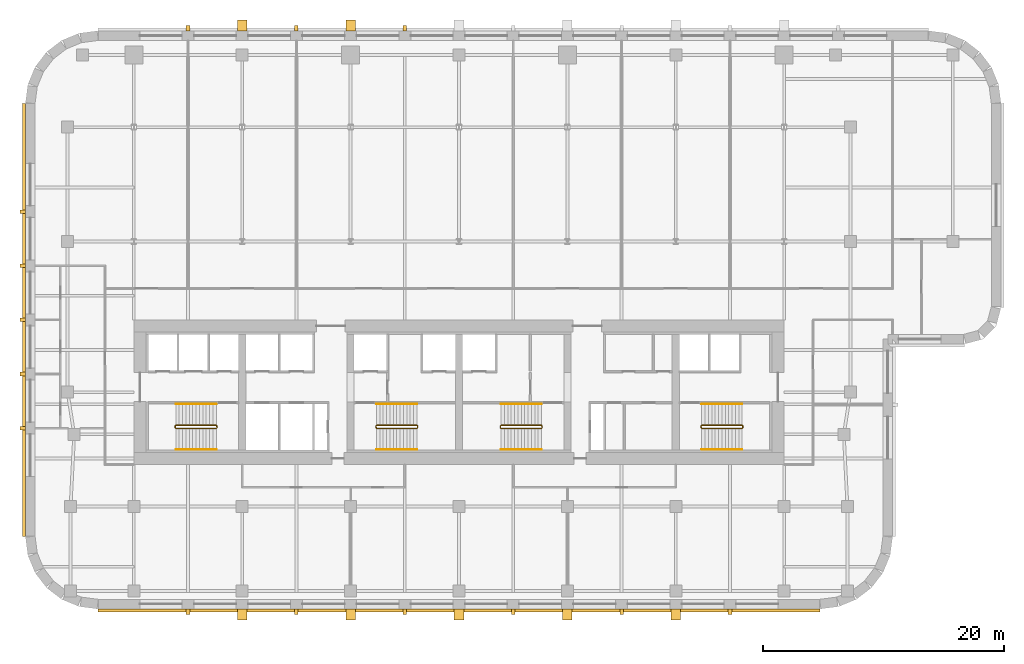
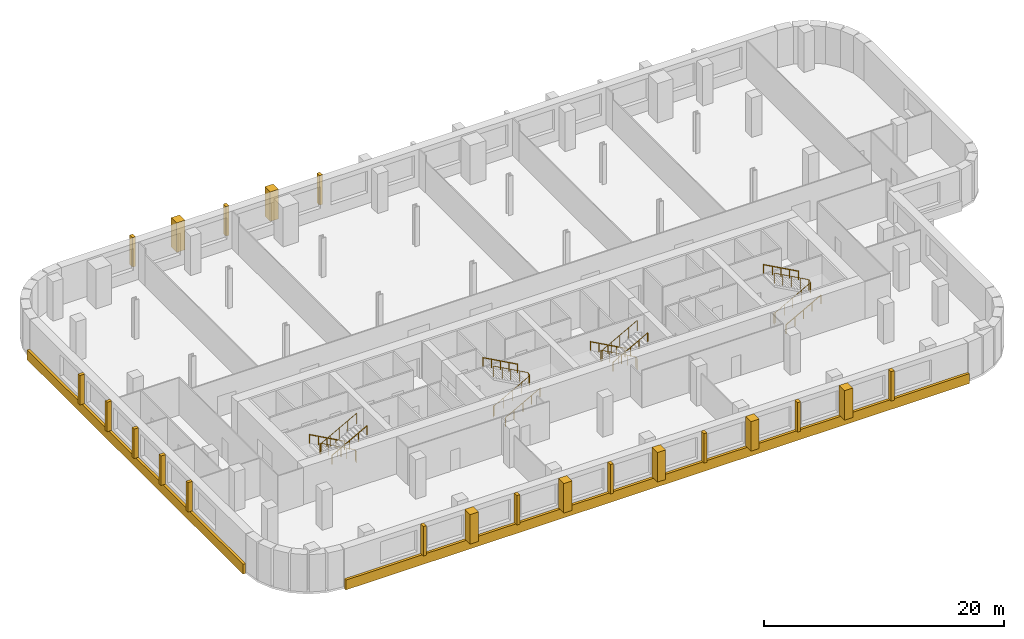
# One storey, part 8 of 9: 23 coverings, 12 railings.
"""IFC4 building model written with IfcOpenShell, lengths in metres."""

from ifc_helpers import new_model, si_unit, direction, frame, origin, origin_2d, place, context, subcontext, project, spatial, polyline, circle, outline, extrude, material, layer, layer_set, type_object, element, save


model = new_model("IFC4")

# Units and contexts
model_context = context("Model", 3, precision=1e-05, world=origin(), true_north=direction((0.0, 1.0)))
body_context = subcontext(model_context, "Body", "Model", "MODEL_VIEW")
ifc_project = project(units=[si_unit("LENGTHUNIT", "METRE"), si_unit("AREAUNIT", "SQUARE_METRE"), si_unit("VOLUMEUNIT", "CUBIC_METRE"), si_unit("PLANEANGLEUNIT", "RADIAN"), si_unit("MASSUNIT", "GRAM", prefix="KILO")], contexts=[model_context])

# Site, building, storey
site_placement = place(None, origin())
site = spatial("IfcSite", under=ifc_project, at=site_placement, CompositionType="ELEMENT")
building_placement = place(site_placement, origin())
building = spatial("IfcBuilding", under=site, at=building_placement, Name="Zellij Exchange Tower", CompositionType="ELEMENT")
storey_placement = place(building_placement, frame((0.0, 0.0, 136.5)))
storey = spatial("IfcBuildingStorey", under=building, at=storey_placement, Name="L30", CompositionType="ELEMENT", Elevation=136.5)

# Railings
ifc_material_1 = material(Name="Stainless steel", Category="steel")
railing_type_1 = type_object("IfcRailingType", Name="CORE-RG stair guard", PredefinedType="GUARDRAIL", material=ifc_material_1)
railing_1_placement = place(storey_placement, frame((-20.10009765625, -10.800048828125, 0.0)))
element("IfcRailing", 1, at=railing_1_placement, inside=storey, type_object=railing_type_1, Name="ST1 stair guard L30", PredefinedType="GUARDRAIL", context=body_context, shape_type="SweptSolid", body=[
    extrude(circle(Radius=0.02392578125, at=origin_2d()), frame((0.0, 0.0, 1.076171875), z_axis=(0.0, -1.0, 0.0), x_axis=(1.0, 0.0, 0.0)), (0.0, 0.0, 1.0), 0.14990234375),
    extrude(circle(Radius=0.02392578125, at=origin_2d()), frame((0.0, -0.14990234375, 1.076171875), z_axis=(-0.193691321961, 0.777613689637, 0.598164376644), x_axis=(-0.970351222016, -0.241699205484, 0.0)), (0.0, 0.0, 1.0), 0.257080078125),
    extrude(circle(Radius=0.02392578125, at=origin_2d()), frame((-0.0498046875, 0.050048828125, 1.22998046875), z_axis=(-0.876421534553, 0.0, 0.481544695509), x_axis=(0.0, -1.0, 0.0)), (0.0, 0.0, 1.0), 3.833984375),
    extrude(circle(Radius=0.02392578125, at=origin_2d()), frame((-3.409912109375, 0.050048828125, 3.076171875), z_axis=(-0.707106781187, -0.707106781187, 0.0), x_axis=(0.707106781187, -0.707106781187, 0.0)), (0.0, 0.0, 1.0), 0.07080078125),
    extrude(circle(Radius=0.02392578125, at=origin_2d()), frame((-3.4599609375, 0.0, 3.076171875), z_axis=(0.0, -1.0, 0.0), x_axis=(1.0, 0.0, 0.0)), (0.0, 0.0, 1.0), 0.14990234375),
    extrude(circle(Radius=0.02392578125, at=origin_2d()), frame((-3.4599609375, -0.14990234375, 3.076171875), z_axis=(0.295599637079, -0.295599637079, 0.908428152975), x_axis=(0.707106781187, 0.707106781187, 0.0)), (0.0, 0.0, 1.0), 0.16943359375),
    extrude(circle(Radius=0.02392578125, at=origin_2d()), frame((-3.409912109375, -0.199951171875, 3.22998046875), z_axis=(0.876421534553, 0.0, 0.481544695509), x_axis=(0.0, 1.0, 0.0)), (0.0, 0.0, 1.0), 3.833984375),
    extrude(circle(Radius=0.02099609375, at=origin_2d()), origin(), (0.0, 0.0, 1.0), 1.052001953125),
    extrude(circle(Radius=0.02099609375, at=origin_2d()), frame((0.0, -0.14990234375, 0.0)), (0.0, 0.0, 1.0), 1.052001953125),
    extrude(circle(Radius=0.02099609375, at=origin_2d()), frame((-0.0498046875, 0.050048828125, 0.15380859375)), (0.0, 0.0, 1.0), 1.052001953125),
    extrude(circle(Radius=0.02099609375, at=origin_2d()), frame((-0.889892578125, 0.050048828125, 0.615234375)), (0.0, 0.0, 1.0), 1.052001953125),
    extrude(circle(Radius=0.02099609375, at=origin_2d()), frame((-1.72998046875, 0.050048828125, 1.076904296875)), (0.0, 0.0, 1.0), 1.052001953125),
    extrude(circle(Radius=0.02099609375, at=origin_2d()), frame((-2.56982421875, 0.050048828125, 1.53857421875)), (0.0, 0.0, 1.0), 1.052001953125),
    extrude(circle(Radius=0.02099609375, at=origin_2d()), frame((-3.409912109375, 0.050048828125, 2.0)), (0.0, 0.0, 1.0), 1.052001953125),
    extrude(circle(Radius=0.02099609375, at=origin_2d()), frame((-3.4599609375, 0.0, 2.0)), (0.0, 0.0, 1.0), 1.052001953125),
    extrude(circle(Radius=0.02099609375, at=origin_2d()), frame((-3.4599609375, -0.14990234375, 2.0)), (0.0, 0.0, 1.0), 1.052001953125),
    extrude(circle(Radius=0.02099609375, at=origin_2d()), frame((-3.409912109375, -0.199951171875, 2.15380859375)), (0.0, 0.0, 1.0), 1.052001953125),
    extrude(circle(Radius=0.02099609375, at=origin_2d()), frame((-2.56982421875, -0.199951171875, 2.615234375)), (0.0, 0.0, 1.0), 1.052001953125),
    extrude(circle(Radius=0.02099609375, at=origin_2d()), frame((-1.72998046875, -0.199951171875, 3.076904296875)), (0.0, 0.0, 1.0), 1.052001953125),
    extrude(circle(Radius=0.02099609375, at=origin_2d()), frame((-0.889892578125, -0.199951171875, 3.53857421875)), (0.0, 0.0, 1.0), 1.052001953125),
    extrude(circle(Radius=0.02099609375, at=origin_2d()), frame((-0.0498046875, -0.199951171875, 4.0)), (0.0, 0.0, 1.0), 1.052001953125),
])
railing_2_placement = place(storey_placement, frame((-6.89990234375, -10.949951171875, 0.0)))
element("IfcRailing", 2, at=railing_2_placement, inside=storey, type_object=railing_type_1, Name="ST2 stair guard L30", PredefinedType="GUARDRAIL", context=body_context, shape_type="SweptSolid", body=[
    extrude(circle(Radius=0.02392578125, at=origin_2d()), frame((0.0, 0.0, 1.076171875), z_axis=(0.0, 1.0, 0.0), x_axis=(-1.0, 0.0, 0.0)), (0.0, 0.0, 1.0), 0.14990234375),
    extrude(circle(Radius=0.02392578125, at=origin_2d()), frame((0.0, 0.14990234375, 1.076171875), z_axis=(0.193691321961, -0.777613689637, 0.598164376644), x_axis=(0.970351222016, 0.241699205484, 0.0)), (0.0, 0.0, 1.0), 0.257080078125),
    extrude(circle(Radius=0.02392578125, at=origin_2d()), frame((0.0498046875, -0.050048828125, 1.22998046875), z_axis=(0.876421534553, 0.0, 0.481544695509), x_axis=(0.0, 1.0, 0.0)), (0.0, 0.0, 1.0), 3.833984375),
    extrude(circle(Radius=0.02392578125, at=origin_2d()), frame((3.409912109375, -0.050048828125, 3.076171875), z_axis=(0.707106781187, 0.707106781187, 0.0), x_axis=(-0.707106781187, 0.707106781187, 0.0)), (0.0, 0.0, 1.0), 0.07080078125),
    extrude(circle(Radius=0.02392578125, at=origin_2d()), frame((3.4599609375, 0.0, 3.076171875), z_axis=(0.0, 1.0, 0.0), x_axis=(-1.0, 0.0, 0.0)), (0.0, 0.0, 1.0), 0.14990234375),
    extrude(circle(Radius=0.02392578125, at=origin_2d()), frame((3.4599609375, 0.14990234375, 3.076171875), z_axis=(-0.295599637079, 0.295599637079, 0.908428152975), x_axis=(-0.707106781187, -0.707106781187, 0.0)), (0.0, 0.0, 1.0), 0.16943359375),
    extrude(circle(Radius=0.02392578125, at=origin_2d()), frame((3.409912109375, 0.199951171875, 3.22998046875), z_axis=(-0.876421534553, 0.0, 0.481544695509), x_axis=(0.0, -1.0, 0.0)), (0.0, 0.0, 1.0), 3.833984375),
    extrude(circle(Radius=0.02099609375, at=origin_2d()), origin(), (0.0, 0.0, 1.0), 1.052001953125),
    extrude(circle(Radius=0.02099609375, at=origin_2d()), frame((0.0, 0.14990234375, 0.0)), (0.0, 0.0, 1.0), 1.052001953125),
    extrude(circle(Radius=0.02099609375, at=origin_2d()), frame((0.0498046875, -0.050048828125, 0.15380859375)), (0.0, 0.0, 1.0), 1.052001953125),
    extrude(circle(Radius=0.02099609375, at=origin_2d()), frame((0.889892578125, -0.050048828125, 0.615234375)), (0.0, 0.0, 1.0), 1.052001953125),
    extrude(circle(Radius=0.02099609375, at=origin_2d()), frame((1.72998046875, -0.050048828125, 1.076904296875)), (0.0, 0.0, 1.0), 1.052001953125),
    extrude(circle(Radius=0.02099609375, at=origin_2d()), frame((2.56982421875, -0.050048828125, 1.53857421875)), (0.0, 0.0, 1.0), 1.052001953125),
    extrude(circle(Radius=0.02099609375, at=origin_2d()), frame((3.409912109375, -0.050048828125, 2.0)), (0.0, 0.0, 1.0), 1.052001953125),
    extrude(circle(Radius=0.02099609375, at=origin_2d()), frame((3.4599609375, 0.0, 2.0)), (0.0, 0.0, 1.0), 1.052001953125),
    extrude(circle(Radius=0.02099609375, at=origin_2d()), frame((3.4599609375, 0.14990234375, 2.0)), (0.0, 0.0, 1.0), 1.052001953125),
    extrude(circle(Radius=0.02099609375, at=origin_2d()), frame((3.409912109375, 0.199951171875, 2.15380859375)), (0.0, 0.0, 1.0), 1.052001953125),
    extrude(circle(Radius=0.02099609375, at=origin_2d()), frame((2.56982421875, 0.199951171875, 2.615234375)), (0.0, 0.0, 1.0), 1.052001953125),
    extrude(circle(Radius=0.02099609375, at=origin_2d()), frame((1.72998046875, 0.199951171875, 3.076904296875)), (0.0, 0.0, 1.0), 1.052001953125),
    extrude(circle(Radius=0.02099609375, at=origin_2d()), frame((0.889892578125, 0.199951171875, 3.53857421875)), (0.0, 0.0, 1.0), 1.052001953125),
    extrude(circle(Radius=0.02099609375, at=origin_2d()), frame((0.0498046875, 0.199951171875, 4.0)), (0.0, 0.0, 1.0), 1.052001953125),
])
railing_3_placement = place(storey_placement, frame((6.89990234375, -10.800048828125, 0.0)))
element("IfcRailing", 3, at=railing_3_placement, inside=storey, type_object=railing_type_1, Name="ST3 stair guard L30", PredefinedType="GUARDRAIL", context=body_context, shape_type="SweptSolid", body=[
    extrude(circle(Radius=0.02392578125, at=origin_2d()), frame((0.0, 0.0, 1.076171875), z_axis=(0.0, -1.0, 0.0), x_axis=(1.0, 0.0, 0.0)), (0.0, 0.0, 1.0), 0.14990234375),
    extrude(circle(Radius=0.02392578125, at=origin_2d()), frame((0.0, -0.14990234375, 1.076171875), z_axis=(-0.193691321961, 0.777613689637, 0.598164376644), x_axis=(-0.970351222016, -0.241699205484, 0.0)), (0.0, 0.0, 1.0), 0.257080078125),
    extrude(circle(Radius=0.02392578125, at=origin_2d()), frame((-0.0498046875, 0.050048828125, 1.22998046875), z_axis=(-0.876421534553, 0.0, 0.481544695509), x_axis=(0.0, -1.0, 0.0)), (0.0, 0.0, 1.0), 3.833984375),
    extrude(circle(Radius=0.02392578125, at=origin_2d()), frame((-3.409912109375, 0.050048828125, 3.076171875), z_axis=(-0.707106781187, -0.707106781187, 0.0), x_axis=(0.707106781187, -0.707106781187, 0.0)), (0.0, 0.0, 1.0), 0.07080078125),
    extrude(circle(Radius=0.02392578125, at=origin_2d()), frame((-3.4599609375, 0.0, 3.076171875), z_axis=(0.0, -1.0, 0.0), x_axis=(1.0, 0.0, 0.0)), (0.0, 0.0, 1.0), 0.14990234375),
    extrude(circle(Radius=0.02392578125, at=origin_2d()), frame((-3.4599609375, -0.14990234375, 3.076171875), z_axis=(0.295599637079, -0.295599637079, 0.908428152975), x_axis=(0.707106781187, 0.707106781187, 0.0)), (0.0, 0.0, 1.0), 0.16943359375),
    extrude(circle(Radius=0.02392578125, at=origin_2d()), frame((-3.409912109375, -0.199951171875, 3.22998046875), z_axis=(0.876421534553, 0.0, 0.481544695509), x_axis=(0.0, 1.0, 0.0)), (0.0, 0.0, 1.0), 3.833984375),
    extrude(circle(Radius=0.02099609375, at=origin_2d()), origin(), (0.0, 0.0, 1.0), 1.052001953125),
    extrude(circle(Radius=0.02099609375, at=origin_2d()), frame((0.0, -0.14990234375, 0.0)), (0.0, 0.0, 1.0), 1.052001953125),
    extrude(circle(Radius=0.02099609375, at=origin_2d()), frame((-0.0498046875, 0.050048828125, 0.15380859375)), (0.0, 0.0, 1.0), 1.052001953125),
    extrude(circle(Radius=0.02099609375, at=origin_2d()), frame((-0.889892578125, 0.050048828125, 0.615234375)), (0.0, 0.0, 1.0), 1.052001953125),
    extrude(circle(Radius=0.02099609375, at=origin_2d()), frame((-1.72998046875, 0.050048828125, 1.076904296875)), (0.0, 0.0, 1.0), 1.052001953125),
    extrude(circle(Radius=0.02099609375, at=origin_2d()), frame((-2.56982421875, 0.050048828125, 1.53857421875)), (0.0, 0.0, 1.0), 1.052001953125),
    extrude(circle(Radius=0.02099609375, at=origin_2d()), frame((-3.409912109375, 0.050048828125, 2.0)), (0.0, 0.0, 1.0), 1.052001953125),
    extrude(circle(Radius=0.02099609375, at=origin_2d()), frame((-3.4599609375, 0.0, 2.0)), (0.0, 0.0, 1.0), 1.052001953125),
    extrude(circle(Radius=0.02099609375, at=origin_2d()), frame((-3.4599609375, -0.14990234375, 2.0)), (0.0, 0.0, 1.0), 1.052001953125),
    extrude(circle(Radius=0.02099609375, at=origin_2d()), frame((-3.409912109375, -0.199951171875, 2.15380859375)), (0.0, 0.0, 1.0), 1.052001953125),
    extrude(circle(Radius=0.02099609375, at=origin_2d()), frame((-2.56982421875, -0.199951171875, 2.615234375)), (0.0, 0.0, 1.0), 1.052001953125),
    extrude(circle(Radius=0.02099609375, at=origin_2d()), frame((-1.72998046875, -0.199951171875, 3.076904296875)), (0.0, 0.0, 1.0), 1.052001953125),
    extrude(circle(Radius=0.02099609375, at=origin_2d()), frame((-0.889892578125, -0.199951171875, 3.53857421875)), (0.0, 0.0, 1.0), 1.052001953125),
    extrude(circle(Radius=0.02099609375, at=origin_2d()), frame((-0.0498046875, -0.199951171875, 4.0)), (0.0, 0.0, 1.0), 1.052001953125),
])
railing_4_placement = place(storey_placement, frame((20.10009765625, -10.949951171875, 0.0)))
element("IfcRailing", 4, at=railing_4_placement, inside=storey, type_object=railing_type_1, Name="ST4 stair guard L30", PredefinedType="GUARDRAIL", context=body_context, shape_type="SweptSolid", body=[
    extrude(circle(Radius=0.02392578125, at=origin_2d()), frame((0.0, 0.0, 1.076171875), z_axis=(0.0, 1.0, 0.0), x_axis=(-1.0, 0.0, 0.0)), (0.0, 0.0, 1.0), 0.14990234375),
    extrude(circle(Radius=0.02392578125, at=origin_2d()), frame((0.0, 0.14990234375, 1.076171875), z_axis=(0.193691321961, -0.777613689637, 0.598164376644), x_axis=(0.970351222016, 0.241699205484, 0.0)), (0.0, 0.0, 1.0), 0.257080078125),
    extrude(circle(Radius=0.02392578125, at=origin_2d()), frame((0.0498046875, -0.050048828125, 1.22998046875), z_axis=(0.876421534553, 0.0, 0.481544695509), x_axis=(0.0, 1.0, 0.0)), (0.0, 0.0, 1.0), 3.833984375),
    extrude(circle(Radius=0.02392578125, at=origin_2d()), frame((3.409912109375, -0.050048828125, 3.076171875), z_axis=(0.707106781187, 0.707106781187, 0.0), x_axis=(-0.707106781187, 0.707106781187, 0.0)), (0.0, 0.0, 1.0), 0.07080078125),
    extrude(circle(Radius=0.02392578125, at=origin_2d()), frame((3.4599609375, 0.0, 3.076171875), z_axis=(0.0, 1.0, 0.0), x_axis=(-1.0, 0.0, 0.0)), (0.0, 0.0, 1.0), 0.14990234375),
    extrude(circle(Radius=0.02392578125, at=origin_2d()), frame((3.4599609375, 0.14990234375, 3.076171875), z_axis=(-0.295599637079, 0.295599637079, 0.908428152975), x_axis=(-0.707106781187, -0.707106781187, 0.0)), (0.0, 0.0, 1.0), 0.16943359375),
    extrude(circle(Radius=0.02392578125, at=origin_2d()), frame((3.409912109375, 0.199951171875, 3.22998046875), z_axis=(-0.876421534553, 0.0, 0.481544695509), x_axis=(0.0, -1.0, 0.0)), (0.0, 0.0, 1.0), 3.833984375),
    extrude(circle(Radius=0.02099609375, at=origin_2d()), origin(), (0.0, 0.0, 1.0), 1.052001953125),
    extrude(circle(Radius=0.02099609375, at=origin_2d()), frame((0.0, 0.14990234375, 0.0)), (0.0, 0.0, 1.0), 1.052001953125),
    extrude(circle(Radius=0.02099609375, at=origin_2d()), frame((0.0498046875, -0.050048828125, 0.15380859375)), (0.0, 0.0, 1.0), 1.052001953125),
    extrude(circle(Radius=0.02099609375, at=origin_2d()), frame((0.889892578125, -0.050048828125, 0.615234375)), (0.0, 0.0, 1.0), 1.052001953125),
    extrude(circle(Radius=0.02099609375, at=origin_2d()), frame((1.72998046875, -0.050048828125, 1.076904296875)), (0.0, 0.0, 1.0), 1.052001953125),
    extrude(circle(Radius=0.02099609375, at=origin_2d()), frame((2.56982421875, -0.050048828125, 1.53857421875)), (0.0, 0.0, 1.0), 1.052001953125),
    extrude(circle(Radius=0.02099609375, at=origin_2d()), frame((3.409912109375, -0.050048828125, 2.0)), (0.0, 0.0, 1.0), 1.052001953125),
    extrude(circle(Radius=0.02099609375, at=origin_2d()), frame((3.4599609375, 0.0, 2.0)), (0.0, 0.0, 1.0), 1.052001953125),
    extrude(circle(Radius=0.02099609375, at=origin_2d()), frame((3.4599609375, 0.14990234375, 2.0)), (0.0, 0.0, 1.0), 1.052001953125),
    extrude(circle(Radius=0.02099609375, at=origin_2d()), frame((3.409912109375, 0.199951171875, 2.15380859375)), (0.0, 0.0, 1.0), 1.052001953125),
    extrude(circle(Radius=0.02099609375, at=origin_2d()), frame((2.56982421875, 0.199951171875, 2.615234375)), (0.0, 0.0, 1.0), 1.052001953125),
    extrude(circle(Radius=0.02099609375, at=origin_2d()), frame((1.72998046875, 0.199951171875, 3.076904296875)), (0.0, 0.0, 1.0), 1.052001953125),
    extrude(circle(Radius=0.02099609375, at=origin_2d()), frame((0.889892578125, 0.199951171875, 3.53857421875)), (0.0, 0.0, 1.0), 1.052001953125),
    extrude(circle(Radius=0.02099609375, at=origin_2d()), frame((0.0498046875, 0.199951171875, 4.0)), (0.0, 0.0, 1.0), 1.052001953125),
])
railing_type_2 = type_object("IfcRailingType", Name="CORE-RH stair handrail", PredefinedType="HANDRAIL", material=ifc_material_1)
railing_5_placement = place(storey_placement, frame((-20.14990234375, -9.0, 0.15380859375)))
element("IfcRailing", 5, at=railing_5_placement, inside=storey, type_object=railing_type_2, Name="ST1 stair handrail L30", PredefinedType="HANDRAIL", context=body_context, shape_type="SweptSolid", body=[
    extrude(circle(Radius=0.02392578125, at=origin_2d()), frame((0.0, 0.0, 0.8759765625), z_axis=(-0.876421534553, 0.0, 0.481544695509), x_axis=(0.0, -1.0, 0.0)), (0.0, 0.0, 1.0), 3.833984375),
    extrude(circle(Radius=0.02099609375, at=origin_2d()), origin(), (0.0, 0.0, 1.0), 0.851806640625),
    extrude(circle(Radius=0.02099609375, at=origin_2d()), frame((-0.840087890625, 0.0, 0.46142578125)), (0.0, 0.0, 1.0), 0.851806640625),
    extrude(circle(Radius=0.02099609375, at=origin_2d()), frame((-1.68017578125, 0.0, 0.923095703125)), (0.0, 0.0, 1.0), 0.851806640625),
    extrude(circle(Radius=0.02099609375, at=origin_2d()), frame((-2.52001953125, 0.0, 1.384765625)), (0.0, 0.0, 1.0), 0.851806640625),
    extrude(circle(Radius=0.02099609375, at=origin_2d()), frame((-3.360107421875, 0.0, 1.84619140625)), (0.0, 0.0, 1.0), 0.851806640625),
])
for number, where, name in (
    (6, (-23.510009765625, -12.75, 2.15380859375), "ST1 stair handrail L30"),
    (7, (-6.85009765625, -12.75, 0.15380859375), "ST2 stair handrail L30"),
):
    element("IfcRailing", number, at=place(storey_placement, frame(where)), inside=storey, type_object=railing_type_2, Name=name, PredefinedType="HANDRAIL", context=body_context, shape_type="SweptSolid", body=[
        extrude(circle(Radius=0.02392578125, at=origin_2d()), frame((0.0, 0.0, 0.8759765625), z_axis=(0.876421534553, 0.0, 0.481544695509), x_axis=(0.0, 1.0, 0.0)), (0.0, 0.0, 1.0), 3.833984375),
        extrude(circle(Radius=0.02099609375, at=origin_2d()), origin(), (0.0, 0.0, 1.0), 0.851806640625),
        extrude(circle(Radius=0.02099609375, at=origin_2d()), frame((0.840087890625, 0.0, 0.46142578125)), (0.0, 0.0, 1.0), 0.851806640625),
        extrude(circle(Radius=0.02099609375, at=origin_2d()), frame((1.68017578125, 0.0, 0.923095703125)), (0.0, 0.0, 1.0), 0.851806640625),
        extrude(circle(Radius=0.02099609375, at=origin_2d()), frame((2.52001953125, 0.0, 1.384765625)), (0.0, 0.0, 1.0), 0.851806640625),
        extrude(circle(Radius=0.02099609375, at=origin_2d()), frame((3.360107421875, 0.0, 1.84619140625)), (0.0, 0.0, 1.0), 0.851806640625),
    ])
for number, where, name in (
    (8, (-3.489990234375, -9.0, 2.15380859375), "ST2 stair handrail L30"),
    (9, (6.85009765625, -9.0, 0.15380859375), "ST3 stair handrail L30"),
):
    element("IfcRailing", number, at=place(storey_placement, frame(where)), inside=storey, type_object=railing_type_2, Name=name, PredefinedType="HANDRAIL", context=body_context, shape_type="SweptSolid", body=[
        extrude(circle(Radius=0.02392578125, at=origin_2d()), frame((0.0, 0.0, 0.8759765625), z_axis=(-0.876421534553, 0.0, 0.481544695509), x_axis=(0.0, -1.0, 0.0)), (0.0, 0.0, 1.0), 3.833984375),
        extrude(circle(Radius=0.02099609375, at=origin_2d()), origin(), (0.0, 0.0, 1.0), 0.851806640625),
        extrude(circle(Radius=0.02099609375, at=origin_2d()), frame((-0.840087890625, 0.0, 0.46142578125)), (0.0, 0.0, 1.0), 0.851806640625),
        extrude(circle(Radius=0.02099609375, at=origin_2d()), frame((-1.68017578125, 0.0, 0.923095703125)), (0.0, 0.0, 1.0), 0.851806640625),
        extrude(circle(Radius=0.02099609375, at=origin_2d()), frame((-2.52001953125, 0.0, 1.384765625)), (0.0, 0.0, 1.0), 0.851806640625),
        extrude(circle(Radius=0.02099609375, at=origin_2d()), frame((-3.360107421875, 0.0, 1.84619140625)), (0.0, 0.0, 1.0), 0.851806640625),
    ])
for number, where, name in (
    (10, (3.489990234375, -12.75, 2.15380859375), "ST3 stair handrail L30"),
    (11, (20.14990234375, -12.75, 0.15380859375), "ST4 stair handrail L30"),
):
    element("IfcRailing", number, at=place(storey_placement, frame(where)), inside=storey, type_object=railing_type_2, Name=name, PredefinedType="HANDRAIL", context=body_context, shape_type="SweptSolid", body=[
        extrude(circle(Radius=0.02392578125, at=origin_2d()), frame((0.0, 0.0, 0.8759765625), z_axis=(0.876421534553, 0.0, 0.481544695509), x_axis=(0.0, 1.0, 0.0)), (0.0, 0.0, 1.0), 3.833984375),
        extrude(circle(Radius=0.02099609375, at=origin_2d()), origin(), (0.0, 0.0, 1.0), 0.851806640625),
        extrude(circle(Radius=0.02099609375, at=origin_2d()), frame((0.840087890625, 0.0, 0.46142578125)), (0.0, 0.0, 1.0), 0.851806640625),
        extrude(circle(Radius=0.02099609375, at=origin_2d()), frame((1.68017578125, 0.0, 0.923095703125)), (0.0, 0.0, 1.0), 0.851806640625),
        extrude(circle(Radius=0.02099609375, at=origin_2d()), frame((2.52001953125, 0.0, 1.384765625)), (0.0, 0.0, 1.0), 0.851806640625),
        extrude(circle(Radius=0.02099609375, at=origin_2d()), frame((3.360107421875, 0.0, 1.84619140625)), (0.0, 0.0, 1.0), 0.851806640625),
    ])
railing_6_placement = place(storey_placement, frame((23.510009765625, -9.0, 2.15380859375)))
element("IfcRailing", 12, at=railing_6_placement, inside=storey, type_object=railing_type_2, Name="ST4 stair handrail L30", PredefinedType="HANDRAIL", context=body_context, shape_type="SweptSolid", body=[
    extrude(circle(Radius=0.02392578125, at=origin_2d()), frame((0.0, 0.0, 0.8759765625), z_axis=(-0.876421534553, 0.0, 0.481544695509), x_axis=(0.0, -1.0, 0.0)), (0.0, 0.0, 1.0), 3.833984375),
    extrude(circle(Radius=0.02099609375, at=origin_2d()), origin(), (0.0, 0.0, 1.0), 0.851806640625),
    extrude(circle(Radius=0.02099609375, at=origin_2d()), frame((-0.840087890625, 0.0, 0.46142578125)), (0.0, 0.0, 1.0), 0.851806640625),
    extrude(circle(Radius=0.02099609375, at=origin_2d()), frame((-1.68017578125, 0.0, 0.923095703125)), (0.0, 0.0, 1.0), 0.851806640625),
    extrude(circle(Radius=0.02099609375, at=origin_2d()), frame((-2.52001953125, 0.0, 1.384765625)), (0.0, 0.0, 1.0), 0.851806640625),
    extrude(circle(Radius=0.02099609375, at=origin_2d()), frame((-3.360107421875, 0.0, 1.84619140625)), (0.0, 0.0, 1.0), 0.851806640625),
])

# Coverings
ifc_material_2 = material(Name="Limestone cladding", Category="masonry")
covering_type_1 = type_object("IfcCoveringType", Name="ENV-CV5 Stone pier 800x900", PredefinedType="CLADDING", material=ifc_material_2)
covering_1_placement = place(storey_placement, frame((0.0, 0.0, 0.800048828125)))
element("IfcCovering", 13, at=covering_1_placement, inside=storey, type_object=covering_type_1, Name="Stone pier", PredefinedType="CLADDING", context=body_context, shape_type="SweptSolid", body=[
    extrude(outline(polyline([(-18.39990234375, -26.0), (-17.60009765625, -26.0), (-17.60009765625, -26.89990234375), (-18.39990234375, -26.89990234375), (-18.39990234375, -26.0)])), origin(), (0.0, 0.0, 1.0), 3.0),
])
covering_2_placement = place(storey_placement, frame((0.0, 0.0, 0.800048828125)))
element("IfcCovering", 14, at=covering_2_placement, inside=storey, type_object=covering_type_1, Name="Stone pier", PredefinedType="CLADDING", context=body_context, shape_type="SweptSolid", body=[
    extrude(outline(polyline([(-9.39990234375, -26.0), (-8.60009765625, -26.0), (-8.60009765625, -26.89990234375), (-9.39990234375, -26.89990234375), (-9.39990234375, -26.0)])), origin(), (0.0, 0.0, 1.0), 3.0),
])
covering_3_placement = place(storey_placement, frame((0.0, 0.0, 0.800048828125)))
element("IfcCovering", 15, at=covering_3_placement, inside=storey, type_object=covering_type_1, Name="Stone pier", PredefinedType="CLADDING", context=body_context, shape_type="SweptSolid", body=[
    extrude(outline(polyline([(-0.39990234375, -26.0), (0.39990234375, -26.0), (0.39990234375, -26.89990234375), (-0.39990234375, -26.89990234375), (-0.39990234375, -26.0)])), origin(), (0.0, 0.0, 1.0), 3.0),
])
covering_4_placement = place(storey_placement, frame((0.0, 0.0, 0.800048828125)))
element("IfcCovering", 16, at=covering_4_placement, inside=storey, type_object=covering_type_1, Name="Stone pier", PredefinedType="CLADDING", context=body_context, shape_type="SweptSolid", body=[
    extrude(outline(polyline([(8.60009765625, -26.0), (9.39990234375, -26.0), (9.39990234375, -26.89990234375), (8.60009765625, -26.89990234375), (8.60009765625, -26.0)])), origin(), (0.0, 0.0, 1.0), 3.0),
])
covering_5_placement = place(storey_placement, frame((0.0, 0.0, 0.800048828125)))
element("IfcCovering", 17, at=covering_5_placement, inside=storey, type_object=covering_type_1, Name="Stone pier", PredefinedType="CLADDING", context=body_context, shape_type="SweptSolid", body=[
    extrude(outline(polyline([(17.60009765625, -26.0), (18.39990234375, -26.0), (18.39990234375, -26.89990234375), (17.60009765625, -26.89990234375), (17.60009765625, -26.0)])), origin(), (0.0, 0.0, 1.0), 3.0),
])
covering_6_placement = place(storey_placement, frame((0.0, 0.0, 0.800048828125)))
element("IfcCovering", 18, at=covering_6_placement, inside=storey, type_object=covering_type_1, Name="Stone pier", PredefinedType="CLADDING", context=body_context, shape_type="SweptSolid", body=[
    extrude(outline(polyline([(-8.60009765625, 22.0), (-9.39990234375, 22.0), (-9.39990234375, 22.89990234375), (-8.60009765625, 22.89990234375), (-8.60009765625, 22.0)])), origin(), (0.0, 0.0, 1.0), 3.0),
])
covering_7_placement = place(storey_placement, frame((0.0, 0.0, 0.800048828125)))
element("IfcCovering", 19, at=covering_7_placement, inside=storey, type_object=covering_type_1, Name="Stone pier", PredefinedType="CLADDING", context=body_context, shape_type="SweptSolid", body=[
    extrude(outline(polyline([(-17.60009765625, 22.0), (-18.39990234375, 22.0), (-18.39990234375, 22.89990234375), (-17.60009765625, 22.89990234375), (-17.60009765625, 22.0)])), origin(), (0.0, 0.0, 1.0), 3.0),
])
covering_type_2 = type_object("IfcCoveringType", Name="ENV-CV7 Stone pier 300x450", PredefinedType="CLADDING", material=ifc_material_2)
covering_8_placement = place(storey_placement, frame((0.0, 0.0, 0.800048828125)))
element("IfcCovering", 20, at=covering_8_placement, inside=storey, type_object=covering_type_2, Name="Stone pier", PredefinedType="CLADDING", context=body_context, shape_type="SweptSolid", body=[
    extrude(outline(polyline([(-22.64990234375, -26.0), (-22.35009765625, -26.0), (-22.35009765625, -26.449951171875), (-22.64990234375, -26.449951171875), (-22.64990234375, -26.0)])), origin(), (0.0, 0.0, 1.0), 3.0),
])
covering_9_placement = place(storey_placement, frame((0.0, 0.0, 0.800048828125)))
element("IfcCovering", 21, at=covering_9_placement, inside=storey, type_object=covering_type_2, Name="Stone pier", PredefinedType="CLADDING", context=body_context, shape_type="SweptSolid", body=[
    extrude(outline(polyline([(-13.64990234375, -26.0), (-13.35009765625, -26.0), (-13.35009765625, -26.449951171875), (-13.64990234375, -26.449951171875), (-13.64990234375, -26.0)])), origin(), (0.0, 0.0, 1.0), 3.0),
])
covering_10_placement = place(storey_placement, frame((0.0, 0.0, 0.800048828125)))
element("IfcCovering", 22, at=covering_10_placement, inside=storey, type_object=covering_type_2, Name="Stone pier", PredefinedType="CLADDING", context=body_context, shape_type="SweptSolid", body=[
    extrude(outline(polyline([(-4.64990234375, -26.0), (-4.35009765625, -26.0), (-4.35009765625, -26.449951171875), (-4.64990234375, -26.449951171875), (-4.64990234375, -26.0)])), origin(), (0.0, 0.0, 1.0), 3.0),
])
covering_11_placement = place(storey_placement, frame((0.0, 0.0, 0.800048828125)))
element("IfcCovering", 23, at=covering_11_placement, inside=storey, type_object=covering_type_2, Name="Stone pier", PredefinedType="CLADDING", context=body_context, shape_type="SweptSolid", body=[
    extrude(outline(polyline([(4.35009765625, -26.0), (4.64990234375, -26.0), (4.64990234375, -26.449951171875), (4.35009765625, -26.449951171875), (4.35009765625, -26.0)])), origin(), (0.0, 0.0, 1.0), 3.0),
])
covering_12_placement = place(storey_placement, frame((0.0, 0.0, 0.800048828125)))
element("IfcCovering", 24, at=covering_12_placement, inside=storey, type_object=covering_type_2, Name="Stone pier", PredefinedType="CLADDING", context=body_context, shape_type="SweptSolid", body=[
    extrude(outline(polyline([(13.35009765625, -26.0), (13.64990234375, -26.0), (13.64990234375, -26.449951171875), (13.35009765625, -26.449951171875), (13.35009765625, -26.0)])), origin(), (0.0, 0.0, 1.0), 3.0),
])
covering_13_placement = place(storey_placement, frame((0.0, 0.0, 0.800048828125)))
element("IfcCovering", 25, at=covering_13_placement, inside=storey, type_object=covering_type_2, Name="Stone pier", PredefinedType="CLADDING", context=body_context, shape_type="SweptSolid", body=[
    extrude(outline(polyline([(22.35009765625, -26.0), (22.64990234375, -26.0), (22.64990234375, -26.449951171875), (22.35009765625, -26.449951171875), (22.35009765625, -26.0)])), origin(), (0.0, 0.0, 1.0), 3.0),
])
covering_14_placement = place(storey_placement, frame((0.0, 0.0, 0.800048828125)))
element("IfcCovering", 26, at=covering_14_placement, inside=storey, type_object=covering_type_2, Name="Stone pier", PredefinedType="CLADDING", context=body_context, shape_type="SweptSolid", body=[
    extrude(outline(polyline([(-4.35009765625, 22.0), (-4.64990234375, 22.0), (-4.64990234375, 22.449951171875), (-4.35009765625, 22.449951171875), (-4.35009765625, 22.0)])), origin(), (0.0, 0.0, 1.0), 3.0),
])
covering_15_placement = place(storey_placement, frame((0.0, 0.0, 0.800048828125)))
element("IfcCovering", 27, at=covering_15_placement, inside=storey, type_object=covering_type_2, Name="Stone pier", PredefinedType="CLADDING", context=body_context, shape_type="SweptSolid", body=[
    extrude(outline(polyline([(-13.35009765625, 22.0), (-13.64990234375, 22.0), (-13.64990234375, 22.449951171875), (-13.35009765625, 22.449951171875), (-13.35009765625, 22.0)])), origin(), (0.0, 0.0, 1.0), 3.0),
])
covering_16_placement = place(storey_placement, frame((0.0, 0.0, 0.800048828125)))
element("IfcCovering", 28, at=covering_16_placement, inside=storey, type_object=covering_type_2, Name="Stone pier", PredefinedType="CLADDING", context=body_context, shape_type="SweptSolid", body=[
    extrude(outline(polyline([(-22.35009765625, 22.0), (-22.64990234375, 22.0), (-22.64990234375, 22.449951171875), (-22.35009765625, 22.449951171875), (-22.35009765625, 22.0)])), origin(), (0.0, 0.0, 1.0), 3.0),
])
covering_17_placement = place(storey_placement, frame((0.0, 0.0, 0.800048828125)))
element("IfcCovering", 29, at=covering_17_placement, inside=storey, type_object=covering_type_2, Name="Stone pier", PredefinedType="CLADDING", context=body_context, shape_type="SweptSolid", body=[
    extrude(outline(polyline([(-36.0, 7.136962890625), (-36.0, 6.8369140625), (-36.449951171875, 6.8369140625), (-36.449951171875, 7.136962890625), (-36.0, 7.136962890625)])), origin(), (0.0, 0.0, 1.0), 3.0),
])
covering_18_placement = place(storey_placement, frame((0.0, 0.0, 0.800048828125)))
element("IfcCovering", 30, at=covering_18_placement, inside=storey, type_object=covering_type_2, Name="Stone pier", PredefinedType="CLADDING", context=body_context, shape_type="SweptSolid", body=[
    extrude(outline(polyline([(-36.0, 2.6435546875), (-36.0, 2.343505859375), (-36.449951171875, 2.343505859375), (-36.449951171875, 2.6435546875), (-36.0, 2.6435546875)])), origin(), (0.0, 0.0, 1.0), 3.0),
])
covering_19_placement = place(storey_placement, frame((0.0, 0.0, 0.800048828125)))
element("IfcCovering", 31, at=covering_19_placement, inside=storey, type_object=covering_type_2, Name="Stone pier", PredefinedType="CLADDING", context=body_context, shape_type="SweptSolid", body=[
    extrude(outline(polyline([(-36.0, -1.85009765625), (-36.0, -2.14990234375), (-36.449951171875, -2.14990234375), (-36.449951171875, -1.85009765625), (-36.0, -1.85009765625)])), origin(), (0.0, 0.0, 1.0), 3.0),
])
covering_20_placement = place(storey_placement, frame((0.0, 0.0, 0.800048828125)))
element("IfcCovering", 32, at=covering_20_placement, inside=storey, type_object=covering_type_2, Name="Stone pier", PredefinedType="CLADDING", context=body_context, shape_type="SweptSolid", body=[
    extrude(outline(polyline([(-36.0, -6.343505859375), (-36.0, -6.643310546875), (-36.449951171875, -6.643310546875), (-36.449951171875, -6.343505859375), (-36.0, -6.343505859375)])), origin(), (0.0, 0.0, 1.0), 3.0),
])
covering_21_placement = place(storey_placement, frame((0.0, 0.0, 0.800048828125)))
element("IfcCovering", 33, at=covering_21_placement, inside=storey, type_object=covering_type_2, Name="Stone pier", PredefinedType="CLADDING", context=body_context, shape_type="SweptSolid", body=[
    extrude(outline(polyline([(-36.0, -10.8369140625), (-36.0, -11.136962890625), (-36.449951171875, -11.136962890625), (-36.449951171875, -10.8369140625), (-36.0, -10.8369140625)])), origin(), (0.0, 0.0, 1.0), 3.0),
])
ifc_layer = layer(ifc_material_2, 0.25)
ifc_layer_set = layer_set([ifc_layer], Name="Limestone cladding")
covering_type_3 = type_object("IfcCoveringType", Name="ENV-CV8 Stone spandrel band 250", PredefinedType="CLADDING", material=ifc_layer_set)
covering_22_placement = place(storey_placement, frame((0.0, 0.0, -0.199951171875)))
element("IfcCovering", 34, at=covering_22_placement, inside=storey, type_object=covering_type_3, Name="Stone spandrel band", PredefinedType="CLADDING", context=body_context, shape_type="SweptSolid", body=[
    extrude(outline(polyline([(-29.973876953125, -26.0), (29.973876953125, -26.0), (29.990234375, -26.25), (-29.990234375, -26.25), (-29.973876953125, -26.0)])), origin(), (0.0, 0.0, 1.0), 1.0),
])
covering_23_placement = place(storey_placement, frame((0.0, 0.0, -0.199951171875)))
element("IfcCovering", 35, at=covering_23_placement, inside=storey, type_object=covering_type_3, Name="Stone spandrel band", PredefinedType="CLADDING", context=body_context, shape_type="SweptSolid", body=[
    extrude(outline(polyline([(-36.0, 15.973876953125), (-36.0, -19.973876953125), (-36.25, -19.990234375), (-36.25, 15.990234375), (-36.0, 15.973876953125)])), origin(), (0.0, 0.0, 1.0), 1.0),
])

save(model, "model.ifc")
